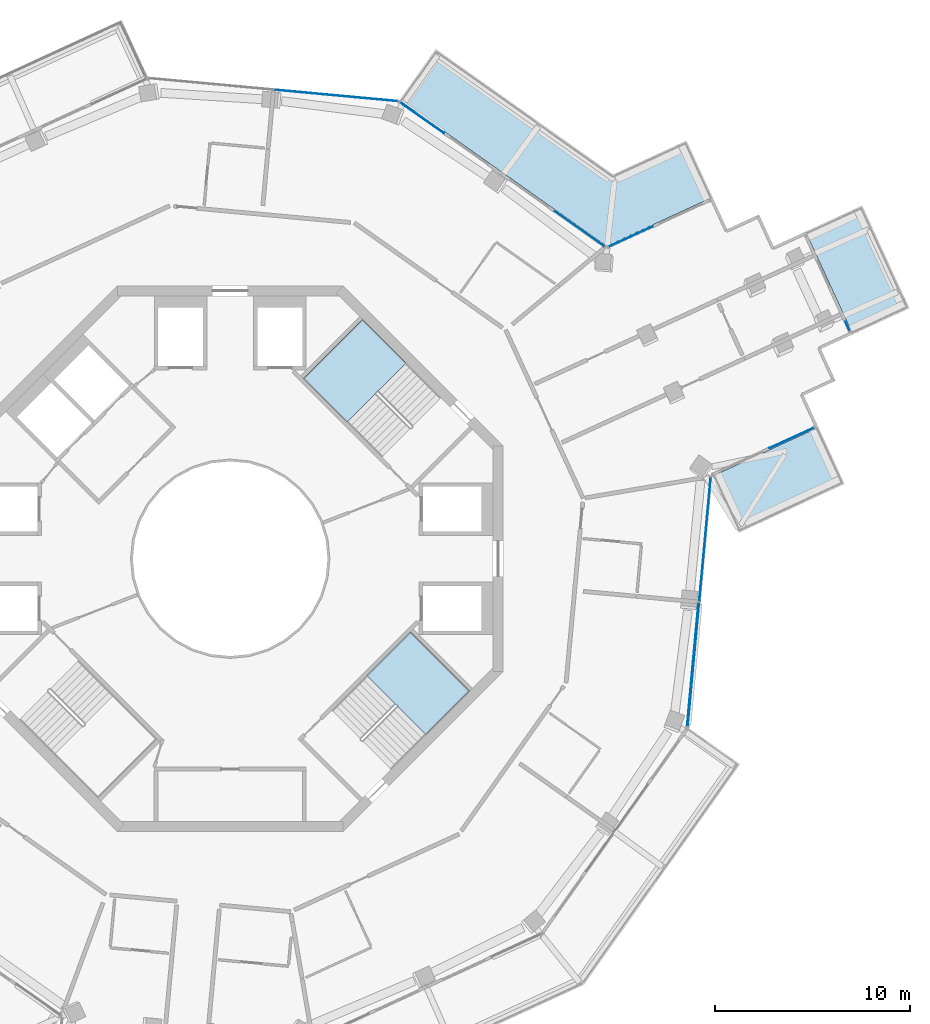
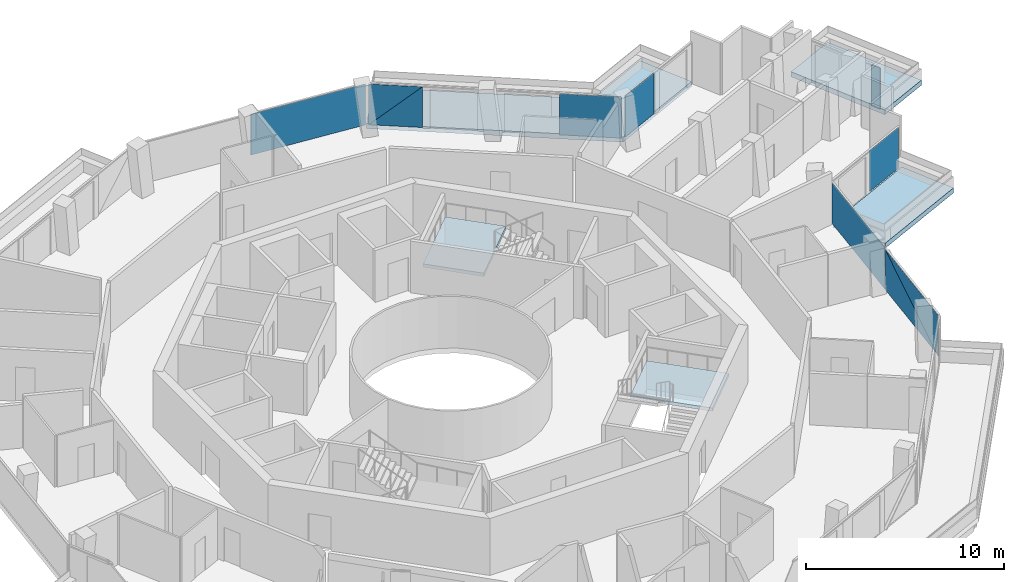
# One storey, part 14 of 23: 10 plates, 5 slabs, 8 elements without a shape of their own.
"""IFC4 building model written with IfcOpenShell, lengths in metres."""

import ifcopenshell
import ifcopenshell.guid

model = None  # the IFC model being written
_history = None  # IfcOwnerHistory: only IFC2X3 demands one
_inside = {}  # id of a spatial element -> (the spatial element, [elements in it])
_under = {}  # id of a project, library or spatial element -> (it, [spatial elements below it])
_declared = {}  # id of a project -> (the project, [libraries it declares])
_typed = {}  # id of a type object -> (the type object, [elements of that type])
_made_of = {}  # id of a material, layer set ... -> (it, [elements and type objects made of it])


def new_model(schema):
    """Start an empty IFC model of exactly this schema.

    Asked for "IFC4X3", IfcOpenShell would pick the latest addendum, in which some entities
    have other attributes; the version numbers below select the first issue.
    IFC2X3 requires an IfcOwnerHistory on every rooted entity: one is made here for all.
    """
    global model, _history
    if schema == "IFC4X3":
        model = ifcopenshell.file(schema_version=(4, 3, 0, 0))
    else:
        model = ifcopenshell.file(schema=schema)
    _inside.clear()
    _under.clear()
    _declared.clear()
    _typed.clear()
    _made_of.clear()
    _history = None
    if model.schema == "IFC2X3":
        org = make("IfcOrganization", Name="unknown")
        user = make(
            "IfcPersonAndOrganization",
            ThePerson=make("IfcPerson", FamilyName="unknown"),
            TheOrganization=org,
        )
        app = make(
            "IfcApplication",
            ApplicationDeveloper=org,
            Version="unknown",
            ApplicationFullName="unknown",
            ApplicationIdentifier="unknown",
        )
        _history = make(
            "IfcOwnerHistory",
            OwningUser=user,
            OwningApplication=app,
            ChangeAction="ADDED",
            CreationDate=0,
        )
    return model


def make(cls, **values):
    """One entity of the class cls with the attributes given. An attribute that is None is left unset."""
    return model.create_entity(
        cls, **{name: value for name, value in values.items() if value is not None}
    )


def rooted(cls, **values):
    """An entity with a GlobalId (a new one), such as an element, a storey or a relation."""
    return make(cls, GlobalId=ifcopenshell.guid.new(), OwnerHistory=_history, **values)


def si_unit(unit_type, name, prefix=None):
    """IfcSIUnit, for example si_unit("LENGTHUNIT", "METRE", prefix="MILLI")."""
    return make("IfcSIUnit", UnitType=unit_type, Prefix=prefix, Name=name)


def assignment(units):
    """IfcUnitAssignment: the units of a project."""
    return None if units is None else make("IfcUnitAssignment", Units=units)


def point(xyz):
    """IfcCartesianPoint."""
    return None if xyz is None else make("IfcCartesianPoint", Coordinates=xyz)


def direction(xyz):
    """IfcDirection."""
    return None if xyz is None else make("IfcDirection", DirectionRatios=xyz)


def frame(location, z_axis=None, x_axis=None):
    """IfcAxis2Placement3D, a coordinate frame: its origin and axes. An axis left out is left unset."""
    return make(
        "IfcAxis2Placement3D",
        Location=point(location),
        Axis=direction(z_axis),
        RefDirection=direction(x_axis),
    )


def frame_2d(location, x_axis=None):
    """IfcAxis2Placement2D, a coordinate frame in the plane: its origin and x axis."""
    return make(
        "IfcAxis2Placement2D", Location=point(location), RefDirection=direction(x_axis)
    )


def origin():
    """The frame at (0, 0, 0) with its axes left unset."""
    return frame((0.0, 0.0, 0.0))


def origin_2d():
    """The frame at (0, 0) in the plane with its x axis left unset."""
    return frame_2d((0.0, 0.0))


def place(relative_to, where):
    """IfcLocalPlacement: puts the frame where relative to a parent placement (None: the world)."""
    return make(
        "IfcLocalPlacement", PlacementRelTo=relative_to, RelativePlacement=where
    )


def context(
    kind, dimensions, precision=None, world=None, true_north=None, identifier=None
):
    """IfcGeometricRepresentationContext, for example the 3D "Model" context."""
    return make(
        "IfcGeometricRepresentationContext",
        ContextIdentifier=identifier,
        ContextType=kind,
        CoordinateSpaceDimension=dimensions,
        Precision=precision,
        WorldCoordinateSystem=world,
        TrueNorth=true_north,
    )


def subcontext(parent, identifier, kind, view, scale=None):
    """IfcGeometricRepresentationSubContext, for example "Body" below "Model"."""
    return make(
        "IfcGeometricRepresentationSubContext",
        ContextIdentifier=identifier,
        ContextType=kind,
        ParentContext=parent,
        TargetScale=scale,
        TargetView=view,
    )


def project(units=None, contexts=None):
    """IfcProject with its units and contexts."""
    return rooted(
        "IfcProject",
        Name="project",
        RepresentationContexts=contexts,
        UnitsInContext=assignment(units),
    )


def spatial(cls, under=None, at=None, **own):
    """A site, building, storey or space (cls), placed at a placement, below another one or the project."""
    s = rooted(cls, ObjectPlacement=at, **own)
    if under is not None:
        _under.setdefault(under.id(), (under, []))[1].append(s)
    return s


def polyline(points):
    """IfcPolyline through the points."""
    return make("IfcPolyline", Points=[point(p) for p in points])


def profile(cls, at=None, kind="AREA", **sizes):
    """A parametric profile (cls). Its sizes go by their IFC names, for example OverallWidth=200.0."""
    return make(cls, ProfileType=kind, Position=at, **sizes)


def rectangle(**sizes):
    """IfcRectangleProfileDef."""
    return profile("IfcRectangleProfileDef", **sizes)


def outline(outer, holes=None, kind="AREA"):
    """IfcArbitraryClosedProfileDef: a profile drawn as a closed curve; with holes, ...WithVoids."""
    if holes is None:
        return make("IfcArbitraryClosedProfileDef", ProfileType=kind, OuterCurve=outer)
    return make(
        "IfcArbitraryProfileDefWithVoids",
        ProfileType=kind,
        OuterCurve=outer,
        InnerCurves=holes,
    )


def extrude(swept, where, along, depth):
    """IfcExtrudedAreaSolid: the profile swept, set in the frame where, extruded along a direction by depth."""
    return make(
        "IfcExtrudedAreaSolid",
        SweptArea=swept,
        Position=where,
        ExtrudedDirection=direction(along),
        Depth=depth,
    )


def shape(context_of_items, identifier, shape_type, items):
    """IfcShapeRepresentation: the items that make up one representation, for example the "Body"."""
    return make(
        "IfcShapeRepresentation",
        ContextOfItems=context_of_items,
        RepresentationIdentifier=identifier,
        RepresentationType=shape_type,
        Items=items,
    )


def material(Name=None, Category=None):
    """IfcMaterial."""
    return make("IfcMaterial", Name=Name, Category=Category)


def layer(
    of_material, thickness, ventilated=None, Name=None, Category=None, Priority=None
):
    """IfcMaterialLayer: one layer of a wall or slab, of a material (None: an air gap)."""
    return make(
        "IfcMaterialLayer",
        Material=of_material,
        LayerThickness=thickness,
        IsVentilated=ventilated,
        Name=Name,
        Category=Category,
        Priority=Priority,
    )


def layer_set(layers, Name=None):
    """IfcMaterialLayerSet."""
    return make("IfcMaterialLayerSet", MaterialLayers=layers, LayerSetName=Name)


def made_of(thing, what):
    """Note that an element or type object is made of a material, layer set ...; save() writes the relation."""
    if what is not None:
        _made_of.setdefault(what.id(), (what, []))[1].append(thing)
    return thing


def type_object(cls, material=None, **own):
    """A type object (cls), such as IfcWallType, which elements share."""
    return made_of(rooted(cls, **own), material)


def element(
    cls,
    number,
    at=None,
    inside=None,
    cuts=None,
    type_object=None,
    material=None,
    context=None,
    identifier="Body",
    shape_type=None,
    held_by="IfcProductDefinitionShape",
    body=None,
    shapes=None,
    **own,
):
    """One element of the class cls, such as IfcWall. Its Tag is "e" and its number.

    at: its placement. inside: the storey or other place that contains it. cuts: it is an
    opening in that element (IfcRelVoidsElement). A single representation is given by context,
    identifier, shape_type and body (its items); several are given by shapes. held_by: the class
    of the entity that holds the representations. save() writes the other relations.
    """
    e = rooted(cls, Tag="e%d" % number, ObjectPlacement=at, **own)
    if body is not None:
        shapes = [shape(context, identifier, shape_type, body)]
    if shapes is not None:
        e.Representation = make(held_by, Representations=shapes)
    if inside is not None:
        _inside.setdefault(inside.id(), (inside, []))[1].append(e)
    if cuts is not None:
        rooted(
            "IfcRelVoidsElement", RelatingBuildingElement=cuts, RelatedOpeningElement=e
        )
    if type_object is not None:
        _typed.setdefault(type_object.id(), (type_object, []))[1].append(e)
    return made_of(e, material)


def aggregate(whole, parts):
    """IfcRelAggregates: a whole, such as a stair, and the parts it consists of."""
    return rooted("IfcRelAggregates", RelatingObject=whole, RelatedObjects=parts)


def save(model, path):
    """Write the relations noted so far, then the file.

    IfcRelAggregates (storeys below a building ...), IfcRelContainedInSpatialStructure (elements
    in a storey), IfcRelDefinesByType, IfcRelAssociatesMaterial and IfcRelDeclares: one each for
    every whole, place, type object, material and project.
    """
    for whole, parts in _under.values():
        aggregate(whole, parts)
    for where, things in _inside.values():
        rooted(
            "IfcRelContainedInSpatialStructure",
            RelatedElements=things,
            RelatingStructure=where,
        )
    for kind, things in _typed.values():
        rooted("IfcRelDefinesByType", RelatedObjects=things, RelatingType=kind)
    for what, things in _made_of.values():
        rooted("IfcRelAssociatesMaterial", RelatedObjects=things, RelatingMaterial=what)
    for by, libraries in _declared.values():
        rooted("IfcRelDeclares", RelatingContext=by, RelatedDefinitions=libraries)
    model.write(path)


model = new_model("IFC4")

# Units and contexts
model_context = context("Model", 3, precision=1e-05, world=origin(), true_north=direction((0.0, 1.0)))
body_context = subcontext(model_context, "Body", "Model", "MODEL_VIEW")
ifc_project = project(units=[si_unit("LENGTHUNIT", "METRE"), si_unit("AREAUNIT", "SQUARE_METRE"), si_unit("VOLUMEUNIT", "CUBIC_METRE"), si_unit("PLANEANGLEUNIT", "RADIAN"), si_unit("MASSUNIT", "GRAM", prefix="KILO")], contexts=[model_context])

# Site, building, storey
site_placement = place(None, origin())
site = spatial("IfcSite", under=ifc_project, at=site_placement, CompositionType="ELEMENT")
building_placement = place(site_placement, origin())
building = spatial("IfcBuilding", under=site, at=building_placement, Name="Verdalira Terraces Hotel", CompositionType="ELEMENT")
storey_placement = place(building_placement, frame((0.0, 0.0, 256.0)))
storey = spatial("IfcBuildingStorey", under=building, at=storey_placement, Name="L63", CompositionType="ELEMENT", Elevation=256.0)

# Slabs
ifc_material_1 = material(Name="Precast concrete C40/50", Category="concrete")
ifc_layer_1 = layer(ifc_material_1, 0.31005859375)
ifc_layer_set_1 = layer_set([ifc_layer_1], Name="Balcony deck 310")
slab_type_1 = type_object("IfcSlabType", Name="Balcony deck 310", PredefinedType="FLOOR", material=ifc_layer_set_1)
slab_1_placement = place(storey_placement, frame((0.0, 0.0, -0.310059)))
element("IfcSlab", 1, at=slab_1_placement, inside=storey, type_object=slab_type_1, Name="Balcony deck", PredefinedType="FLOOR", context=body_context, shape_type="SweptSolid", body=[
    extrude(outline(polyline([(31.538086, 3.840576), (30.199951, 6.747314), (24.753662, 4.23999), (26.091797, 1.333252), (31.538086, 3.840576)])), origin(), (0.0, 0.0, 1.0), 0.310059),
])
slab_2_placement = place(storey_placement, frame((0.0, 0.0, -0.310059)))
element("IfcSlab", 2, at=slab_2_placement, inside=storey, type_object=slab_type_1, Name="Balcony deck", PredefinedType="FLOOR", context=body_context, shape_type="SweptSolid", body=[
    extrude(outline(polyline([(32.445801, 18.129639), (29.539062, 16.791504), (31.9646, 11.522949), (34.871338, 12.861084), (32.445801, 18.129639)])), origin(), (0.0, 0.0, 1.0), 0.310059),
])
slab_3_placement = place(storey_placement, frame((0.0, 0.0, -0.310059)))
element("IfcSlab", 3, at=slab_3_placement, inside=storey, type_object=slab_type_1, Name="Balcony deck", PredefinedType="FLOOR", context=body_context, shape_type="SweptSolid", body=[
    extrude(outline(polyline([(10.552979, 26.169434), (8.704834, 23.557129), (19.317139, 16.048828), (24.763428, 18.556152), (23.425293, 21.462891), (19.657227, 19.728271), (10.552979, 26.169434)])), origin(), (0.0, 0.0, 1.0), 0.310059),
])

# Curtain wall, plates
ifc_material_2 = material(Name="Clear glass", Category="glass")
ifc_layer_2 = layer(ifc_material_2, 0.14990234375)
ifc_layer_set_2 = layer_set([ifc_layer_2], Name="CW1 curtain wall")
curtain_wall_type_1 = type_object("IfcCurtainWallType", Name="CW1 curtain wall", PredefinedType="NOTDEFINED", material=ifc_layer_set_2)
curtain_wall_1_placement = place(storey_placement, origin())
curtain_wall_1 = element("IfcCurtainWall", 4, at=curtain_wall_1_placement, inside=storey, type_object=curtain_wall_type_1, Name="CW1 curtain wall L63 edge 27", PredefinedType="NOTDEFINED")
ifc_material_3 = material(Name="Clear glass", Category="glass")
ifc_layer_3 = layer(ifc_material_3, 0.028076171875)
ifc_layer_set_3 = layer_set([ifc_layer_3], Name="CW1 glass unit 28")
plate_type_1 = type_object("IfcPlateType", Name="CW1 glass unit 28", PredefinedType="CURTAIN_PANEL", material=ifc_layer_set_3)
plate_1_placement = place(storey_placement, frame((23.770996, -5.425537, 1.262451), z_axis=(0.995756881, -0.092023008, 0.0), x_axis=(0.092023008, 0.995756881, 0.0)))
plate_1 = element("IfcPlate", 5, at=plate_1_placement, type_object=plate_type_1, Name="CW1 glass unit", PredefinedType="CURTAIN_PANEL", context=body_context, shape_type="SweptSolid", body=[
    extrude(outline(polyline([(-3.185059, -1.262451), (3.185059, -1.262451), (3.185059, 1.262451), (-3.185059, -1.262451)])), origin(), (0.0, 0.0, 1.0), 0.028076),
])
plate_2_placement = place(storey_placement, frame((23.741943, -5.422852, 1.262451), z_axis=(0.995756881, -0.092023008, 0.0), x_axis=(0.092023008, 0.995756881, 0.0)))
plate_2 = element("IfcPlate", 6, at=plate_2_placement, type_object=plate_type_1, Name="CW1 glass unit", PredefinedType="CURTAIN_PANEL", context=body_context, shape_type="SweptSolid", body=[
    extrude(outline(polyline([(-3.185059, -1.262451), (3.185059, 1.262451), (-3.185059, 1.262451), (-3.185059, -1.262451)])), origin(), (0.0, 0.0, 1.0), 0.028076),
])
plate_3_placement = place(storey_placement, frame((24.378418, 0.99585, 0.0), z_axis=(0.0, 0.0, 1.0), x_axis=(0.092023008, 0.995756881, 0.0)))
plate_3 = element("IfcPlate", 7, at=plate_3_placement, type_object=plate_type_1, Name="CW1 glass unit", PredefinedType="CURTAIN_PANEL", context=body_context, shape_type="SweptSolid", body=[
    extrude(rectangle(XDim=6.409912, YDim=0.028076, at=origin_2d()), origin(), (0.0, 0.0, 1.0), 2.524902),
])
aggregate(curtain_wall_1, [plate_1, plate_2, plate_3])

curtain_wall_2_placement = place(storey_placement, origin())
curtain_wall_2 = element("IfcCurtainWall", 8, at=curtain_wall_2_placement, inside=storey, type_object=curtain_wall_type_1, Name="CW1 curtain wall L63 edge 39", PredefinedType="NOTDEFINED")
plate_4_placement = place(storey_placement, frame((17.943115, 16.928955, 0.0), z_axis=(0.0, 0.0, 1.0), x_axis=(-0.816339251, 0.577572703, 0.0)))
plate_4 = element("IfcPlate", 9, at=plate_4_placement, type_object=plate_type_1, Name="CW1 glass unit", PredefinedType="CURTAIN_PANEL", context=body_context, shape_type="SweptSolid", body=[
    extrude(rectangle(XDim=3.139893, YDim=0.028076, at=origin_2d()), origin(), (0.0, 0.0, 1.0), 2.524902),
])
plate_5_placement = place(storey_placement, frame((9.853027, 22.635742, 1.262451), z_axis=(0.577572703, 0.816339251, 0.0), x_axis=(-0.816339251, 0.577572703, 0.0)))
plate_5 = element("IfcPlate", 10, at=plate_5_placement, type_object=plate_type_1, Name="CW1 glass unit", PredefinedType="CURTAIN_PANEL", context=body_context, shape_type="SweptSolid", body=[
    extrude(outline(polyline([(-1.369141, -1.262451), (1.369141, -1.262451), (-1.369141, 1.262451), (-1.369141, -1.262451)])), origin(), (0.0, 0.0, 1.0), 0.028076),
])
plate_6_placement = place(storey_placement, frame((9.836182, 22.612061, 1.262451), z_axis=(0.577572703, 0.816339251, 0.0), x_axis=(-0.816339251, 0.577572703, 0.0)))
plate_6 = element("IfcPlate", 11, at=plate_6_placement, type_object=plate_type_1, Name="CW1 glass unit", PredefinedType="CURTAIN_PANEL", context=body_context, shape_type="SweptSolid", body=[
    extrude(outline(polyline([(1.369141, -1.262451), (1.369141, 1.262451), (-1.369141, 1.262451), (1.369141, -1.262451)])), origin(), (0.0, 0.0, 1.0), 0.028076),
])
aggregate(curtain_wall_2, [plate_4, plate_5, plate_6])

# Curtain wall, plate
curtain_wall_3_placement = place(storey_placement, origin())
curtain_wall_3 = element("IfcCurtainWall", 12, at=curtain_wall_3_placement, inside=storey, type_object=curtain_wall_type_1, Name="CW1 curtain wall L63 edge 40", PredefinedType="NOTDEFINED")
plate_7_placement = place(storey_placement, frame((5.426758, 23.784912, 0.0), z_axis=(0.0, 0.0, 1.0), x_axis=(-0.995756881, 0.092023008, 0.0)))
plate_7 = element("IfcPlate", 13, at=plate_7_placement, type_object=plate_type_1, Name="CW1 glass unit", PredefinedType="CURTAIN_PANEL", context=body_context, shape_type="SweptSolid", body=[
    extrude(rectangle(XDim=6.369873, YDim=0.028076, at=origin_2d()), origin(), (0.0, 0.0, 1.0), 2.524902),
])
aggregate(curtain_wall_3, [plate_7])

ifc_material_4 = material(Name="Clear glass", Category="glass")
ifc_layer_4 = layer(ifc_material_4, 0.14990234375)
ifc_layer_set_4 = layer_set([ifc_layer_4], Name="CW2 curtain wall")
curtain_wall_type_2 = type_object("IfcCurtainWallType", Name="CW2 curtain wall", PredefinedType="NOTDEFINED", material=ifc_layer_set_4)
curtain_wall_4_placement = place(storey_placement, origin())
curtain_wall_4 = element("IfcCurtainWall", 14, at=curtain_wall_4_placement, inside=storey, type_object=curtain_wall_type_2, Name="CW2 curtain wall L63 edge 28", PredefinedType="NOTDEFINED")
ifc_material_5 = material(Name="Clear glass", Category="glass")
ifc_layer_5 = layer(ifc_material_5, 0.031982421875)
ifc_layer_set_5 = layer_set([ifc_layer_5], Name="CW2 glass unit 32")
plate_type_2 = type_object("IfcPlateType", Name="CW2 glass unit 32", PredefinedType="CURTAIN_PANEL", material=ifc_layer_set_5)
plate_8_placement = place(storey_placement, frame((28.830566, 6.199707, 0.0), z_axis=(0.0, 0.0, 1.0), x_axis=(0.908362259, 0.418184178, 0.0)))
plate_8 = element("IfcPlate", 15, at=plate_8_placement, type_object=plate_type_2, Name="CW2 glass unit", PredefinedType="CURTAIN_PANEL", context=body_context, shape_type="SweptSolid", body=[
    extrude(rectangle(XDim=2.505859, YDim=0.031982, at=origin_2d()), origin(), (0.0, 0.0, 1.0), 2.524902),
])
aggregate(curtain_wall_4, [plate_8])

curtain_wall_5_placement = place(storey_placement, origin())
curtain_wall_5 = element("IfcCurtainWall", 16, at=curtain_wall_5_placement, inside=storey, type_object=curtain_wall_type_2, Name="CW2 curtain wall L63 edge 38", PredefinedType="NOTDEFINED")
plate_9_placement = place(storey_placement, frame((20.550293, 16.533936, 0.0), z_axis=(0.0, 0.0, 1.0), x_axis=(-0.908362259, -0.418184178, 0.0)))
plate_9 = element("IfcPlate", 17, at=plate_9_placement, type_object=plate_type_2, Name="CW2 glass unit", PredefinedType="CURTAIN_PANEL", context=body_context, shape_type="SweptSolid", body=[
    extrude(rectangle(XDim=2.505859, YDim=0.031982, at=origin_2d()), origin(), (0.0, 0.0, 1.0), 2.524902),
])
aggregate(curtain_wall_5, [plate_9])

ifc_material_6 = material(Name="Clear glass", Category="glass")
ifc_layer_6 = layer(ifc_material_6, 0.14990234375)
ifc_layer_set_6 = layer_set([ifc_layer_6], Name="CW3 curtain wall")
curtain_wall_type_3 = type_object("IfcCurtainWallType", Name="CW3 curtain wall", PredefinedType="NOTDEFINED", material=ifc_layer_set_6)
curtain_wall_6_placement = place(storey_placement, origin())
curtain_wall_6 = element("IfcCurtainWall", 18, at=curtain_wall_6_placement, inside=storey, type_object=curtain_wall_type_3, Name="CW3 curtain wall L63 edge 33", PredefinedType="NOTDEFINED")
ifc_material_7 = material(Name="Clear glass", Category="glass")
ifc_layer_7 = layer(ifc_material_7, 0.035888671875)
ifc_layer_set_7 = layer_set([ifc_layer_7], Name="CW3 glass unit 36")
plate_type_3 = type_object("IfcPlateType", Name="CW3 glass unit 36", PredefinedType="CURTAIN_PANEL", material=ifc_layer_set_7)
plate_10_placement = place(storey_placement, frame((31.693604, 11.932129, 0.0), z_axis=(0.0, 0.0, 1.0), x_axis=(-0.418184178, 0.908362259, 0.0)))
plate_10 = element("IfcPlate", 19, at=plate_10_placement, type_object=plate_type_3, Name="CW3 glass unit", PredefinedType="CURTAIN_PANEL", context=body_context, shape_type="SweptSolid", body=[
    extrude(rectangle(XDim=0.51001, YDim=0.035889, at=origin_2d()), origin(), (0.0, 0.0, 1.0), 2.524902),
])
aggregate(curtain_wall_6, [plate_10])

# Stair, slab
ifc_material_8 = material(Name="Concrete C40", Category="concrete")
stair_type = type_object("IfcStairType", Name="Core stair 20 risers 2100 mm wide", PredefinedType="HALF_TURN_STAIR", material=ifc_material_8)
stair_1_placement = place(storey_placement, origin())
stair_1 = element("IfcStair", 20, at=stair_1_placement, inside=storey, type_object=stair_type, Name="L63 Exit stair ST1", PredefinedType="HALF_TURN_STAIR")
ifc_material_9 = material(Name="Concrete C40", Category="concrete")
ifc_layer_8 = layer(ifc_material_9, 0.199951171875)
ifc_layer_set_8 = layer_set([ifc_layer_8], Name="Core stair landing 200 mm")
slab_type_2 = type_object("IfcSlabType", Name="Core stair landing 200 mm", PredefinedType="LANDING", material=ifc_layer_set_8)
slab_4_placement = place(storey_placement, frame((0.0, 0.0, 1.550049)))
slab_4 = element("IfcSlab", 21, at=slab_4_placement, type_object=slab_type_2, Name="ST1 landing 1", PredefinedType="LANDING", context=body_context, shape_type="SweptSolid", body=[
    extrude(outline(polyline([(9.037109, 10.054688), (6.78833, 12.303711), (3.747559, 9.263184), (5.996582, 7.01416), (9.037109, 10.054688)])), origin(), (0.0, 0.0, 1.0), 0.199951),
])
aggregate(stair_1, [slab_4])

stair_2_placement = place(storey_placement, origin())
stair_2 = element("IfcStair", 22, at=stair_2_placement, inside=storey, type_object=stair_type, Name="L63 Exit stair ST3", PredefinedType="HALF_TURN_STAIR")
slab_5_placement = place(storey_placement, frame((0.0, 0.0, 1.550049)))
slab_5 = element("IfcSlab", 23, at=slab_5_placement, type_object=slab_type_2, Name="ST3 landing 1", PredefinedType="LANDING", context=body_context, shape_type="SweptSolid", body=[
    extrude(outline(polyline([(10.054688, -9.037109), (12.303711, -6.78833), (9.263184, -3.747559), (7.01416, -5.996582), (10.054688, -9.037109)])), origin(), (0.0, 0.0, 1.0), 0.199951),
])
aggregate(stair_2, [slab_5])

save(model, "model.ifc")
